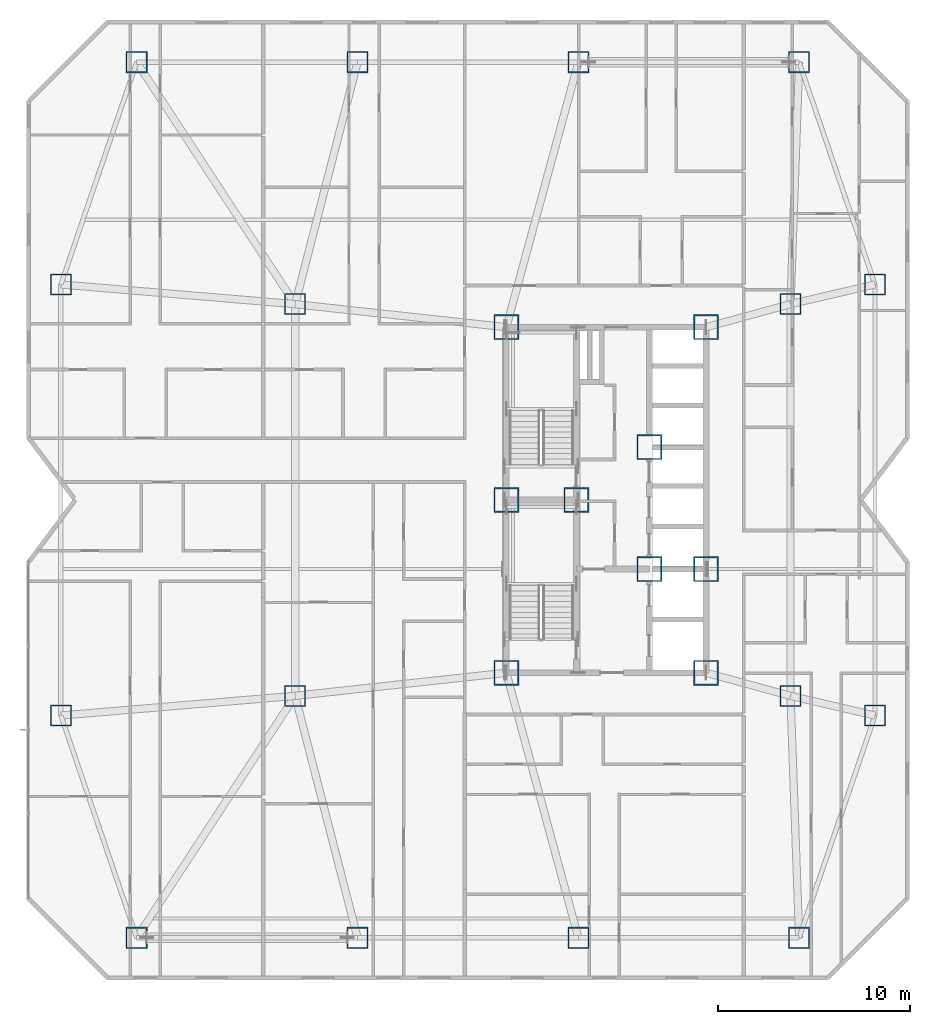
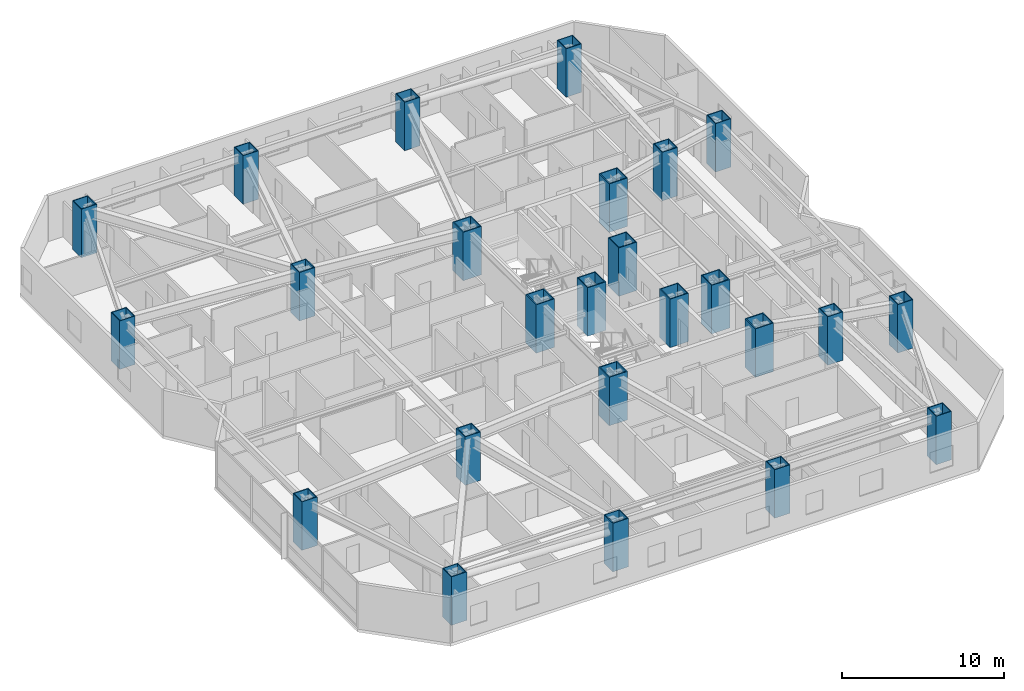
# One storey, part 1 of 18: 25 columns.
"""IFC4 building model written with IfcOpenShell, lengths in metres."""

import ifcopenshell
import ifcopenshell.guid

model = None  # the IFC model being written
_history = None  # IfcOwnerHistory: only IFC2X3 demands one
_inside = {}  # id of a spatial element -> (the spatial element, [elements in it])
_under = {}  # id of a project, library or spatial element -> (it, [spatial elements below it])
_declared = {}  # id of a project -> (the project, [libraries it declares])
_typed = {}  # id of a type object -> (the type object, [elements of that type])
_made_of = {}  # id of a material, layer set ... -> (it, [elements and type objects made of it])


def new_model(schema):
    """Start an empty IFC model of exactly this schema.

    Asked for "IFC4X3", IfcOpenShell would pick the latest addendum, in which some entities
    have other attributes; the version numbers below select the first issue.
    IFC2X3 requires an IfcOwnerHistory on every rooted entity: one is made here for all.
    """
    global model, _history
    if schema == "IFC4X3":
        model = ifcopenshell.file(schema_version=(4, 3, 0, 0))
    else:
        model = ifcopenshell.file(schema=schema)
    _inside.clear()
    _under.clear()
    _declared.clear()
    _typed.clear()
    _made_of.clear()
    _history = None
    if model.schema == "IFC2X3":
        org = make("IfcOrganization", Name="unknown")
        user = make(
            "IfcPersonAndOrganization",
            ThePerson=make("IfcPerson", FamilyName="unknown"),
            TheOrganization=org,
        )
        app = make(
            "IfcApplication",
            ApplicationDeveloper=org,
            Version="unknown",
            ApplicationFullName="unknown",
            ApplicationIdentifier="unknown",
        )
        _history = make(
            "IfcOwnerHistory",
            OwningUser=user,
            OwningApplication=app,
            ChangeAction="ADDED",
            CreationDate=0,
        )
    return model


def make(cls, **values):
    """One entity of the class cls with the attributes given. An attribute that is None is left unset."""
    return model.create_entity(
        cls, **{name: value for name, value in values.items() if value is not None}
    )


def rooted(cls, **values):
    """An entity with a GlobalId (a new one), such as an element, a storey or a relation."""
    return make(cls, GlobalId=ifcopenshell.guid.new(), OwnerHistory=_history, **values)


def si_unit(unit_type, name, prefix=None):
    """IfcSIUnit, for example si_unit("LENGTHUNIT", "METRE", prefix="MILLI")."""
    return make("IfcSIUnit", UnitType=unit_type, Prefix=prefix, Name=name)


def assignment(units):
    """IfcUnitAssignment: the units of a project."""
    return None if units is None else make("IfcUnitAssignment", Units=units)


def point(xyz):
    """IfcCartesianPoint."""
    return None if xyz is None else make("IfcCartesianPoint", Coordinates=xyz)


def direction(xyz):
    """IfcDirection."""
    return None if xyz is None else make("IfcDirection", DirectionRatios=xyz)


def frame(location, z_axis=None, x_axis=None):
    """IfcAxis2Placement3D, a coordinate frame: its origin and axes. An axis left out is left unset."""
    return make(
        "IfcAxis2Placement3D",
        Location=point(location),
        Axis=direction(z_axis),
        RefDirection=direction(x_axis),
    )


def frame_2d(location, x_axis=None):
    """IfcAxis2Placement2D, a coordinate frame in the plane: its origin and x axis."""
    return make(
        "IfcAxis2Placement2D", Location=point(location), RefDirection=direction(x_axis)
    )


def origin():
    """The frame at (0, 0, 0) with its axes left unset."""
    return frame((0.0, 0.0, 0.0))


def origin_2d():
    """The frame at (0, 0) in the plane with its x axis left unset."""
    return frame_2d((0.0, 0.0))


def place(relative_to, where):
    """IfcLocalPlacement: puts the frame where relative to a parent placement (None: the world)."""
    return make(
        "IfcLocalPlacement", PlacementRelTo=relative_to, RelativePlacement=where
    )


def context(
    kind, dimensions, precision=None, world=None, true_north=None, identifier=None
):
    """IfcGeometricRepresentationContext, for example the 3D "Model" context."""
    return make(
        "IfcGeometricRepresentationContext",
        ContextIdentifier=identifier,
        ContextType=kind,
        CoordinateSpaceDimension=dimensions,
        Precision=precision,
        WorldCoordinateSystem=world,
        TrueNorth=true_north,
    )


def subcontext(parent, identifier, kind, view, scale=None):
    """IfcGeometricRepresentationSubContext, for example "Body" below "Model"."""
    return make(
        "IfcGeometricRepresentationSubContext",
        ContextIdentifier=identifier,
        ContextType=kind,
        ParentContext=parent,
        TargetScale=scale,
        TargetView=view,
    )


def project(units=None, contexts=None):
    """IfcProject with its units and contexts."""
    return rooted(
        "IfcProject",
        Name="project",
        RepresentationContexts=contexts,
        UnitsInContext=assignment(units),
    )


def spatial(cls, under=None, at=None, **own):
    """A site, building, storey or space (cls), placed at a placement, below another one or the project."""
    s = rooted(cls, ObjectPlacement=at, **own)
    if under is not None:
        _under.setdefault(under.id(), (under, []))[1].append(s)
    return s


def profile(cls, at=None, kind="AREA", **sizes):
    """A parametric profile (cls). Its sizes go by their IFC names, for example OverallWidth=200.0."""
    return make(cls, ProfileType=kind, Position=at, **sizes)


def hollow_rectangle(**sizes):
    """IfcRectangleHollowProfileDef."""
    return profile("IfcRectangleHollowProfileDef", **sizes)


def extrude(swept, where, along, depth):
    """IfcExtrudedAreaSolid: the profile swept, set in the frame where, extruded along a direction by depth."""
    return make(
        "IfcExtrudedAreaSolid",
        SweptArea=swept,
        Position=where,
        ExtrudedDirection=direction(along),
        Depth=depth,
    )


def shape(context_of_items, identifier, shape_type, items):
    """IfcShapeRepresentation: the items that make up one representation, for example the "Body"."""
    return make(
        "IfcShapeRepresentation",
        ContextOfItems=context_of_items,
        RepresentationIdentifier=identifier,
        RepresentationType=shape_type,
        Items=items,
    )


def material(Name=None, Category=None):
    """IfcMaterial."""
    return make("IfcMaterial", Name=Name, Category=Category)


def material_profile(
    of_material, cross_section, Name=None, Category=None, Priority=None
):
    """IfcMaterialProfile: a cross section and its material."""
    return make(
        "IfcMaterialProfile",
        Name=Name,
        Material=of_material,
        Profile=cross_section,
        Priority=Priority,
        Category=Category,
    )


def profile_set(profiles, Name=None, composite=None):
    """IfcMaterialProfileSet."""
    return make(
        "IfcMaterialProfileSet",
        Name=Name,
        MaterialProfiles=profiles,
        CompositeProfile=composite,
    )


def made_of(thing, what):
    """Note that an element or type object is made of a material, layer set ...; save() writes the relation."""
    if what is not None:
        _made_of.setdefault(what.id(), (what, []))[1].append(thing)
    return thing


def type_object(cls, material=None, **own):
    """A type object (cls), such as IfcWallType, which elements share."""
    return made_of(rooted(cls, **own), material)


def element(
    cls,
    number,
    at=None,
    inside=None,
    cuts=None,
    type_object=None,
    material=None,
    context=None,
    identifier="Body",
    shape_type=None,
    held_by="IfcProductDefinitionShape",
    body=None,
    shapes=None,
    **own,
):
    """One element of the class cls, such as IfcWall. Its Tag is "e" and its number.

    at: its placement. inside: the storey or other place that contains it. cuts: it is an
    opening in that element (IfcRelVoidsElement). A single representation is given by context,
    identifier, shape_type and body (its items); several are given by shapes. held_by: the class
    of the entity that holds the representations. save() writes the other relations.
    """
    e = rooted(cls, Tag="e%d" % number, ObjectPlacement=at, **own)
    if body is not None:
        shapes = [shape(context, identifier, shape_type, body)]
    if shapes is not None:
        e.Representation = make(held_by, Representations=shapes)
    if inside is not None:
        _inside.setdefault(inside.id(), (inside, []))[1].append(e)
    if cuts is not None:
        rooted(
            "IfcRelVoidsElement", RelatingBuildingElement=cuts, RelatedOpeningElement=e
        )
    if type_object is not None:
        _typed.setdefault(type_object.id(), (type_object, []))[1].append(e)
    return made_of(e, material)


def aggregate(whole, parts):
    """IfcRelAggregates: a whole, such as a stair, and the parts it consists of."""
    return rooted("IfcRelAggregates", RelatingObject=whole, RelatedObjects=parts)


def save(model, path):
    """Write the relations noted so far, then the file.

    IfcRelAggregates (storeys below a building ...), IfcRelContainedInSpatialStructure (elements
    in a storey), IfcRelDefinesByType, IfcRelAssociatesMaterial and IfcRelDeclares: one each for
    every whole, place, type object, material and project.
    """
    for whole, parts in _under.values():
        aggregate(whole, parts)
    for where, things in _inside.values():
        rooted(
            "IfcRelContainedInSpatialStructure",
            RelatedElements=things,
            RelatingStructure=where,
        )
    for kind, things in _typed.values():
        rooted("IfcRelDefinesByType", RelatedObjects=things, RelatingType=kind)
    for what, things in _made_of.values():
        rooted("IfcRelAssociatesMaterial", RelatedObjects=things, RelatingMaterial=what)
    for by, libraries in _declared.values():
        rooted("IfcRelDeclares", RelatingContext=by, RelatedDefinitions=libraries)
    model.write(path)


model = new_model("IFC4")

# Units and contexts
model_context = context("Model", 3, precision=1e-05, world=origin(), true_north=direction((0.0, 1.0)))
body_context = subcontext(model_context, "Body", "Model", "MODEL_VIEW")
ifc_project = project(units=[si_unit("LENGTHUNIT", "METRE"), si_unit("AREAUNIT", "SQUARE_METRE"), si_unit("VOLUMEUNIT", "CUBIC_METRE"), si_unit("PLANEANGLEUNIT", "RADIAN"), si_unit("MASSUNIT", "GRAM", prefix="KILO")], contexts=[model_context])

# Site, building, storey
site_placement = place(None, origin())
site = spatial("IfcSite", under=ifc_project, at=site_placement, CompositionType="ELEMENT")
building_placement = place(site_placement, origin())
building = spatial("IfcBuilding", under=site, at=building_placement, Name="Khamvora Tower", CompositionType="ELEMENT")
storey_placement = place(building_placement, frame((0.0, 0.0, 69.800048828125)))
storey = spatial("IfcBuildingStorey", under=building, at=storey_placement, Name="L17", CompositionType="ELEMENT", Elevation=69.800048828125)

# Columns
ifc_material = material(Name="Steel S460", Category="steel")
ifc_material_profile_1 = material_profile(ifc_material, hollow_rectangle(XDim=1.10009765625, YDim=1.10009765625, WallThickness=0.054931640625, at=origin_2d()), Name="BOX1100x1100x55")
ifc_profile_set_1 = profile_set([ifc_material_profile_1], Name="Steel S460")
column_type_1 = type_object("IfcColumnType", Name="COL-BOX1100", PredefinedType="COLUMN", material=ifc_profile_set_1)
for number, where, z_axis, x_axis, name in (
    (1, (9.75, 5.199951171875, 0.0), (0.0, 0.0, 1.0), (1.0, 0.0, 0.0), "L17 structural frame column S1"),
    (2, (21.25, 5.199951171875, 0.0), (0.0, 0.0, 1.0), (1.0, 0.0, 0.0), "L17 structural frame column S2"),
    (3, (32.75, 5.199951171875, 0.0), (0.0, 0.0, 1.0), (1.0, 0.0, 0.0), "L17 structural frame column S3"),
    (4, (44.25, 5.199951171875, 0.0), (0.0, 0.0, 1.0), (1.0, 0.0, 0.0), "L17 structural frame column S4"),
    (5, (9.75, 50.800048828125, 0.0), (0.0, 0.0, 1.0), (1.0, 0.0, 0.0), "L17 structural frame column N1"),
    (6, (21.25, 50.800048828125, 0.0), (0.0, 0.0, 1.0), (1.0, 0.0, 0.0), "L17 structural frame column N2"),
    (7, (32.75, 50.800048828125, 0.0), (0.0, 0.0, 1.0), (1.0, 0.0, 0.0), "L17 structural frame column N3"),
    (8, (44.25, 50.800048828125, 0.0), (0.0, 0.0, 1.0), (1.0, 0.0, 0.0), "L17 structural frame column N4"),
    (9, (5.800048828125, 16.77490234375, 0.0), (0.0, 0.0, 1.0), (1.0, 0.0, 0.0), "L17 structural frame column W1"),
    (10, (5.800048828125, 39.22509765625, 0.0), (0.0, 0.0, 1.0), (1.0, 0.0, 0.0), "L17 structural frame column W2"),
    (11, (48.199951171875, 16.77490234375, 0.0), (0.0, 0.0, 1.0), (1.0, 0.0, 0.0), "L17 structural frame column E1"),
    (12, (48.199951171875, 39.22509765625, 0.0), (0.0, 0.0, 1.0), (1.0, 0.0, 0.0), "L17 structural frame column E2"),
    (13, (18.0, 17.800048828125, 0.0), (0.0, 0.0, 1.0), (1.0, 0.0, 0.0), "L17 structural frame column MW1"),
    (14, (18.0, 38.199951171875, 0.0), (0.0, 0.0, 1.0), (1.0, 0.0, 0.0), "L17 structural frame column MW2"),
    (15, (43.800048828125, 17.800048828125, 0.0), (0.0, 0.0, 1.0), (1.0, 0.0, 0.0), "L17 structural frame column M1"),
    (16, (43.800048828125, 38.199951171875, 0.0), (0.0, 0.0, 1.0), (1.0, 0.0, 0.0), "L17 structural frame column M2"),
):
    element("IfcColumn", number, at=place(storey_placement, frame(where, z_axis=z_axis, x_axis=x_axis)), inside=storey, type_object=column_type_1, Name=name, PredefinedType="COLUMN", context=body_context, shape_type="SweptSolid", body=[
        extrude(hollow_rectangle(XDim=1.10009765625, YDim=1.10009765625, WallThickness=0.054931640625, at=origin_2d()), origin(), (0.0, 0.0, 1.0), 3.64990234375),
    ])
ifc_material_profile_2 = material_profile(ifc_material, hollow_rectangle(XDim=1.300048828125, YDim=1.300048828125, WallThickness=0.06494140625, at=origin_2d()), Name="BOX1300x1300x65")
ifc_profile_set_2 = profile_set([ifc_material_profile_2], Name="Steel S460")
column_type_2 = type_object("IfcColumnType", Name="COL-BOX1300", PredefinedType="COLUMN", material=ifc_profile_set_2)
for number, where, z_axis, x_axis, name in (
    (17, (29.0, 19.0, 0.0), (0.0, 0.0, 1.0), (1.0, 0.0, 0.0), "L17 plumb core spine column SC1"),
    (18, (32.64990234375, 28.0, 0.0), (0.0, 0.0, 1.0), (1.0, 0.0, 0.0), "L17 plumb core spine column SC2"),
    (19, (39.39990234375, 19.0, 0.0), (0.0, 0.0, 1.0), (1.0, 0.0, 0.0), "L17 plumb core spine column SC3"),
    (20, (29.0, 28.0, 0.0), (0.0, 0.0, 1.0), (1.0, 0.0, 0.0), "L17 plumb core spine column SC4"),
    (21, (36.449951171875, 24.39990234375, 0.0), (0.0, 0.0, 1.0), (1.0, 0.0, 0.0), "L17 plumb core spine column SC5"),
    (22, (39.39990234375, 24.39990234375, 0.0), (0.0, 0.0, 1.0), (1.0, 0.0, 0.0), "L17 plumb core spine column SC6"),
    (23, (29.0, 37.0, 0.0), (0.0, 0.0, 1.0), (1.0, 0.0, 0.0), "L17 plumb core spine column SC7"),
    (24, (36.449951171875, 30.75, 0.0), (0.0, 0.0, 1.0), (1.0, 0.0, 0.0), "L17 plumb core spine column SC8"),
    (25, (39.39990234375, 37.0, 0.0), (0.0, 0.0, 1.0), (1.0, 0.0, 0.0), "L17 plumb core spine column SC9"),
):
    element("IfcColumn", number, at=place(storey_placement, frame(where, z_axis=z_axis, x_axis=x_axis)), inside=storey, type_object=column_type_2, Name=name, PredefinedType="COLUMN", context=body_context, shape_type="SweptSolid", body=[
        extrude(hollow_rectangle(XDim=1.300048828125, YDim=1.300048828125, WallThickness=0.06494140625, at=origin_2d()), origin(), (0.0, 0.0, 1.0), 3.64990234375),
    ])

save(model, "model.ifc")
